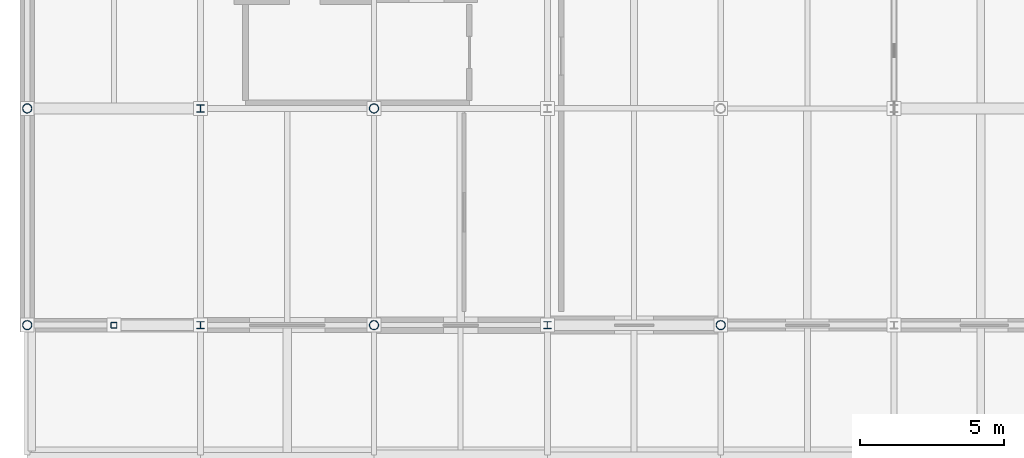
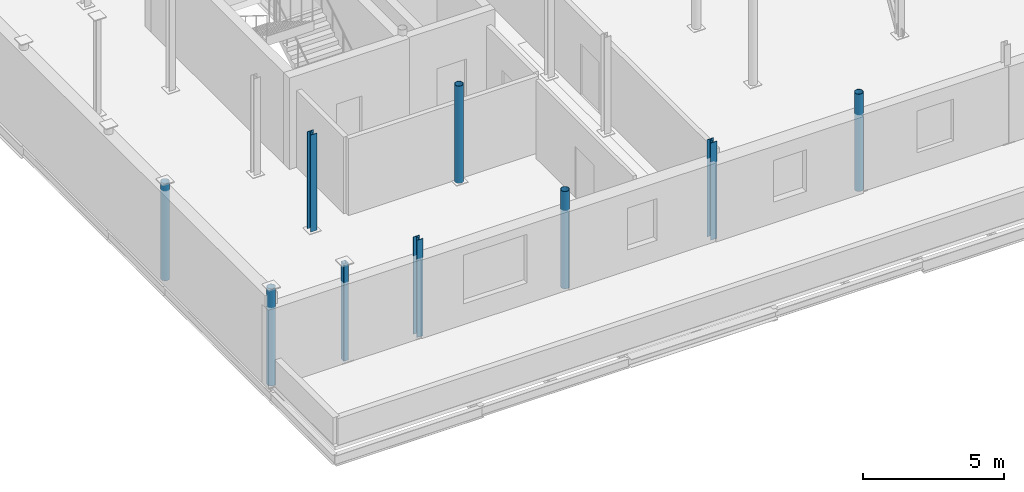
# One storey, part 1 of 30: 9 columns.
"""IFC4 building model written with IfcOpenShell, lengths in metres."""

import ifcopenshell
import ifcopenshell.guid

model = None  # the IFC model being written
_history = None  # IfcOwnerHistory: only IFC2X3 demands one
_inside = {}  # id of a spatial element -> (the spatial element, [elements in it])
_under = {}  # id of a project, library or spatial element -> (it, [spatial elements below it])
_declared = {}  # id of a project -> (the project, [libraries it declares])
_typed = {}  # id of a type object -> (the type object, [elements of that type])
_made_of = {}  # id of a material, layer set ... -> (it, [elements and type objects made of it])


def new_model(schema):
    """Start an empty IFC model of exactly this schema.

    Asked for "IFC4X3", IfcOpenShell would pick the latest addendum, in which some entities
    have other attributes; the version numbers below select the first issue.
    IFC2X3 requires an IfcOwnerHistory on every rooted entity: one is made here for all.
    """
    global model, _history
    if schema == "IFC4X3":
        model = ifcopenshell.file(schema_version=(4, 3, 0, 0))
    else:
        model = ifcopenshell.file(schema=schema)
    _inside.clear()
    _under.clear()
    _declared.clear()
    _typed.clear()
    _made_of.clear()
    _history = None
    if model.schema == "IFC2X3":
        org = make("IfcOrganization", Name="unknown")
        user = make(
            "IfcPersonAndOrganization",
            ThePerson=make("IfcPerson", FamilyName="unknown"),
            TheOrganization=org,
        )
        app = make(
            "IfcApplication",
            ApplicationDeveloper=org,
            Version="unknown",
            ApplicationFullName="unknown",
            ApplicationIdentifier="unknown",
        )
        _history = make(
            "IfcOwnerHistory",
            OwningUser=user,
            OwningApplication=app,
            ChangeAction="ADDED",
            CreationDate=0,
        )
    return model


def make(cls, **values):
    """One entity of the class cls with the attributes given. An attribute that is None is left unset."""
    return model.create_entity(
        cls, **{name: value for name, value in values.items() if value is not None}
    )


def rooted(cls, **values):
    """An entity with a GlobalId (a new one), such as an element, a storey or a relation."""
    return make(cls, GlobalId=ifcopenshell.guid.new(), OwnerHistory=_history, **values)


def si_unit(unit_type, name, prefix=None):
    """IfcSIUnit, for example si_unit("LENGTHUNIT", "METRE", prefix="MILLI")."""
    return make("IfcSIUnit", UnitType=unit_type, Prefix=prefix, Name=name)


def assignment(units):
    """IfcUnitAssignment: the units of a project."""
    return None if units is None else make("IfcUnitAssignment", Units=units)


def point(xyz):
    """IfcCartesianPoint."""
    return None if xyz is None else make("IfcCartesianPoint", Coordinates=xyz)


def direction(xyz):
    """IfcDirection."""
    return None if xyz is None else make("IfcDirection", DirectionRatios=xyz)


def frame(location, z_axis=None, x_axis=None):
    """IfcAxis2Placement3D, a coordinate frame: its origin and axes. An axis left out is left unset."""
    return make(
        "IfcAxis2Placement3D",
        Location=point(location),
        Axis=direction(z_axis),
        RefDirection=direction(x_axis),
    )


def frame_2d(location, x_axis=None):
    """IfcAxis2Placement2D, a coordinate frame in the plane: its origin and x axis."""
    return make(
        "IfcAxis2Placement2D", Location=point(location), RefDirection=direction(x_axis)
    )


def origin():
    """The frame at (0, 0, 0) with its axes left unset."""
    return frame((0.0, 0.0, 0.0))


def origin_2d():
    """The frame at (0, 0) in the plane with its x axis left unset."""
    return frame_2d((0.0, 0.0))


def place(relative_to, where):
    """IfcLocalPlacement: puts the frame where relative to a parent placement (None: the world)."""
    return make(
        "IfcLocalPlacement", PlacementRelTo=relative_to, RelativePlacement=where
    )


def context(
    kind, dimensions, precision=None, world=None, true_north=None, identifier=None
):
    """IfcGeometricRepresentationContext, for example the 3D "Model" context."""
    return make(
        "IfcGeometricRepresentationContext",
        ContextIdentifier=identifier,
        ContextType=kind,
        CoordinateSpaceDimension=dimensions,
        Precision=precision,
        WorldCoordinateSystem=world,
        TrueNorth=true_north,
    )


def subcontext(parent, identifier, kind, view, scale=None):
    """IfcGeometricRepresentationSubContext, for example "Body" below "Model"."""
    return make(
        "IfcGeometricRepresentationSubContext",
        ContextIdentifier=identifier,
        ContextType=kind,
        ParentContext=parent,
        TargetScale=scale,
        TargetView=view,
    )


def project(units=None, contexts=None):
    """IfcProject with its units and contexts."""
    return rooted(
        "IfcProject",
        Name="project",
        RepresentationContexts=contexts,
        UnitsInContext=assignment(units),
    )


def spatial(cls, under=None, at=None, **own):
    """A site, building, storey or space (cls), placed at a placement, below another one or the project."""
    s = rooted(cls, ObjectPlacement=at, **own)
    if under is not None:
        _under.setdefault(under.id(), (under, []))[1].append(s)
    return s


def profile(cls, at=None, kind="AREA", **sizes):
    """A parametric profile (cls). Its sizes go by their IFC names, for example OverallWidth=200.0."""
    return make(cls, ProfileType=kind, Position=at, **sizes)


def hollow_rectangle(**sizes):
    """IfcRectangleHollowProfileDef."""
    return profile("IfcRectangleHollowProfileDef", **sizes)


def hollow_circle(**sizes):
    """IfcCircleHollowProfileDef."""
    return profile("IfcCircleHollowProfileDef", **sizes)


def i_section(**sizes):
    """IfcIShapeProfileDef."""
    return profile("IfcIShapeProfileDef", **sizes)


def extrude(swept, where, along, depth):
    """IfcExtrudedAreaSolid: the profile swept, set in the frame where, extruded along a direction by depth."""
    return make(
        "IfcExtrudedAreaSolid",
        SweptArea=swept,
        Position=where,
        ExtrudedDirection=direction(along),
        Depth=depth,
    )


def shape(context_of_items, identifier, shape_type, items):
    """IfcShapeRepresentation: the items that make up one representation, for example the "Body"."""
    return make(
        "IfcShapeRepresentation",
        ContextOfItems=context_of_items,
        RepresentationIdentifier=identifier,
        RepresentationType=shape_type,
        Items=items,
    )


def material(Name=None, Category=None):
    """IfcMaterial."""
    return make("IfcMaterial", Name=Name, Category=Category)


def material_profile(
    of_material, cross_section, Name=None, Category=None, Priority=None
):
    """IfcMaterialProfile: a cross section and its material."""
    return make(
        "IfcMaterialProfile",
        Name=Name,
        Material=of_material,
        Profile=cross_section,
        Priority=Priority,
        Category=Category,
    )


def profile_set(profiles, Name=None, composite=None):
    """IfcMaterialProfileSet."""
    return make(
        "IfcMaterialProfileSet",
        Name=Name,
        MaterialProfiles=profiles,
        CompositeProfile=composite,
    )


def made_of(thing, what):
    """Note that an element or type object is made of a material, layer set ...; save() writes the relation."""
    if what is not None:
        _made_of.setdefault(what.id(), (what, []))[1].append(thing)
    return thing


def type_object(cls, material=None, **own):
    """A type object (cls), such as IfcWallType, which elements share."""
    return made_of(rooted(cls, **own), material)


def element(
    cls,
    number,
    at=None,
    inside=None,
    cuts=None,
    type_object=None,
    material=None,
    context=None,
    identifier="Body",
    shape_type=None,
    held_by="IfcProductDefinitionShape",
    body=None,
    shapes=None,
    **own,
):
    """One element of the class cls, such as IfcWall. Its Tag is "e" and its number.

    at: its placement. inside: the storey or other place that contains it. cuts: it is an
    opening in that element (IfcRelVoidsElement). A single representation is given by context,
    identifier, shape_type and body (its items); several are given by shapes. held_by: the class
    of the entity that holds the representations. save() writes the other relations.
    """
    e = rooted(cls, Tag="e%d" % number, ObjectPlacement=at, **own)
    if body is not None:
        shapes = [shape(context, identifier, shape_type, body)]
    if shapes is not None:
        e.Representation = make(held_by, Representations=shapes)
    if inside is not None:
        _inside.setdefault(inside.id(), (inside, []))[1].append(e)
    if cuts is not None:
        rooted(
            "IfcRelVoidsElement", RelatingBuildingElement=cuts, RelatedOpeningElement=e
        )
    if type_object is not None:
        _typed.setdefault(type_object.id(), (type_object, []))[1].append(e)
    return made_of(e, material)


def aggregate(whole, parts):
    """IfcRelAggregates: a whole, such as a stair, and the parts it consists of."""
    return rooted("IfcRelAggregates", RelatingObject=whole, RelatedObjects=parts)


def save(model, path):
    """Write the relations noted so far, then the file.

    IfcRelAggregates (storeys below a building ...), IfcRelContainedInSpatialStructure (elements
    in a storey), IfcRelDefinesByType, IfcRelAssociatesMaterial and IfcRelDeclares: one each for
    every whole, place, type object, material and project.
    """
    for whole, parts in _under.values():
        aggregate(whole, parts)
    for where, things in _inside.values():
        rooted(
            "IfcRelContainedInSpatialStructure",
            RelatedElements=things,
            RelatingStructure=where,
        )
    for kind, things in _typed.values():
        rooted("IfcRelDefinesByType", RelatedObjects=things, RelatingType=kind)
    for what, things in _made_of.values():
        rooted("IfcRelAssociatesMaterial", RelatedObjects=things, RelatingMaterial=what)
    for by, libraries in _declared.values():
        rooted("IfcRelDeclares", RelatingContext=by, RelatedDefinitions=libraries)
    model.write(path)


model = new_model("IFC4")

# Units and contexts
model_context = context("Model", 3, precision=1e-05, world=origin(), true_north=direction((0.0, 1.0)))
body_context = subcontext(model_context, "Body", "Model", "MODEL_VIEW")
ifc_project = project(units=[si_unit("LENGTHUNIT", "METRE"), si_unit("AREAUNIT", "SQUARE_METRE"), si_unit("VOLUMEUNIT", "CUBIC_METRE"), si_unit("PLANEANGLEUNIT", "RADIAN"), si_unit("MASSUNIT", "GRAM", prefix="KILO")], contexts=[model_context])

# Site, building, storey
site_placement = place(None, origin())
site = spatial("IfcSite", under=ifc_project, at=site_placement, CompositionType="ELEMENT")
building_placement = place(site_placement, origin())
building = spatial("IfcBuilding", under=site, at=building_placement, Name="Verrall Gate Interchange", CompositionType="ELEMENT")
storey_placement = place(building_placement, frame((0.0, 0.0, 19.39990234375)))
storey = spatial("IfcBuildingStorey", under=building, at=storey_placement, Name="L05", CompositionType="ELEMENT", Elevation=19.39990234375)

# Columns
ifc_material_1 = material(Name="Structural Steel CSA G40.21 350W", Category="steel")
ifc_material_profile_1 = material_profile(ifc_material_1, i_section(OverallWidth=0.25390625, OverallDepth=0.2529296875, WebThickness=0.008544921875, FlangeThickness=0.01416015625, FilletRadius=0.011962890625, at=origin_2d()), Name="W250x73")
ifc_profile_set_1 = profile_set([ifc_material_profile_1], Name="Structural Steel CSA G40.21 350W")
column_type_1 = type_object("IfcColumnType", Name="C-11 Column W250x73", PredefinedType="COLUMN", material=ifc_profile_set_1)
for number, where, z_axis, x_axis, name in (
    (1, (6.0, 4.5, 0.0), (0.0, 0.0, 1.0), (1.0, 0.0, 0.0), "L05 Column COL-L05-0143 (C-11)"),
    (2, (6.0, 12.0, 0.0), (0.0, 0.0, 1.0), (1.0, 0.0, 0.0), "L05 Column COL-L05-0151 (C-11)"),
    (3, (18.0, 4.5, 0.0), (0.0, 0.0, 1.0), (1.0, 0.0, 0.0), "L05 Column COL-L05-0377 (C-11)"),
):
    element("IfcColumn", number, at=place(storey_placement, frame(where, z_axis=z_axis, x_axis=x_axis)), inside=storey, type_object=column_type_1, Name=name, PredefinedType="COLUMN", context=body_context, shape_type="SweptSolid", body=[
        extrude(i_section(OverallWidth=0.25390625, OverallDepth=0.2529296875, WebThickness=0.008544921875, FlangeThickness=0.01416015625, FilletRadius=0.011962890625, at=origin_2d()), origin(), (0.0, 0.0, 1.0), 4.2001953125),
    ])
ifc_material_2 = material(Name="Structural Steel CSA G40.21 350W", Category="steel")
ifc_material_profile_2 = material_profile(ifc_material_2, hollow_rectangle(XDim=0.202880859375, YDim=0.202880859375, WallThickness=0.009521484375, InnerFilletRadius=0.009521484375, OuterFilletRadius=0.01904296875, at=origin_2d()), Name="HSS203x203x9.5")
ifc_profile_set_2 = profile_set([ifc_material_profile_2], Name="Structural Steel CSA G40.21 350W")
column_type_2 = type_object("IfcColumnType", Name="C-14 Column HSS203x203x9.5", PredefinedType="COLUMN", material=ifc_profile_set_2)
column_placement = place(storey_placement, frame((3.0, 4.5, 0.0), z_axis=(0.0, 0.0, 1.0), x_axis=(1.0, 0.0, 0.0)))
element("IfcColumn", 4, at=column_placement, inside=storey, type_object=column_type_2, Name="L05 Column COL-L05-0107 (C-14)", PredefinedType="COLUMN", context=body_context, shape_type="SweptSolid", body=[
    extrude(hollow_rectangle(XDim=0.202880859375, YDim=0.202880859375, WallThickness=0.009521484375, InnerFilletRadius=0.009521484375, OuterFilletRadius=0.01904296875, at=origin_2d()), origin(), (0.0, 0.0, 1.0), 4.2001953125),
])
ifc_material_3 = material(Name="Structural Steel CSA G40.21 350WT Cat 4", Category="steel")
ifc_material_profile_3 = material_profile(ifc_material_3, hollow_circle(Radius=0.161865234375, WallThickness=0.0126953125, at=origin_2d()), Name="HSS324x13")
ifc_profile_set_3 = profile_set([ifc_material_profile_3], Name="Structural Steel CSA G40.21 350WT Cat 4")
column_type_3 = type_object("IfcColumnType", Name="C-15 Column HSS324x13", PredefinedType="COLUMN", material=ifc_profile_set_3)
for number, where, z_axis, x_axis, name in (
    (5, (0.0, 4.5, 0.0), (0.0, 0.0, 1.0), (1.0, 0.0, 0.0), "L05 Column COL-L05-0015 (C-15)"),
    (6, (0.0, 12.0, 0.0), (0.0, 0.0, 1.0), (1.0, 0.0, 0.0), "L05 Column COL-L05-0022 (C-15)"),
    (7, (12.0, 4.5, 0.0), (0.0, 0.0, 1.0), (1.0, 0.0, 0.0), "L05 Column COL-L05-0260 (C-15)"),
    (8, (12.0, 12.0, 0.0), (0.0, 0.0, 1.0), (1.0, 0.0, 0.0), "L05 Column COL-L05-0268 (C-15)"),
    (9, (24.0, 4.5, 0.0), (0.0, 0.0, 1.0), (1.0, 0.0, 0.0), "L05 Column COL-L05-0494 (C-15)"),
):
    element("IfcColumn", number, at=place(storey_placement, frame(where, z_axis=z_axis, x_axis=x_axis)), inside=storey, type_object=column_type_3, Name=name, PredefinedType="COLUMN", context=body_context, shape_type="SweptSolid", body=[
        extrude(hollow_circle(Radius=0.161865234375, WallThickness=0.0126953125, at=origin_2d()), origin(), (0.0, 0.0, 1.0), 4.2001953125),
    ])

save(model, "model.ifc")
